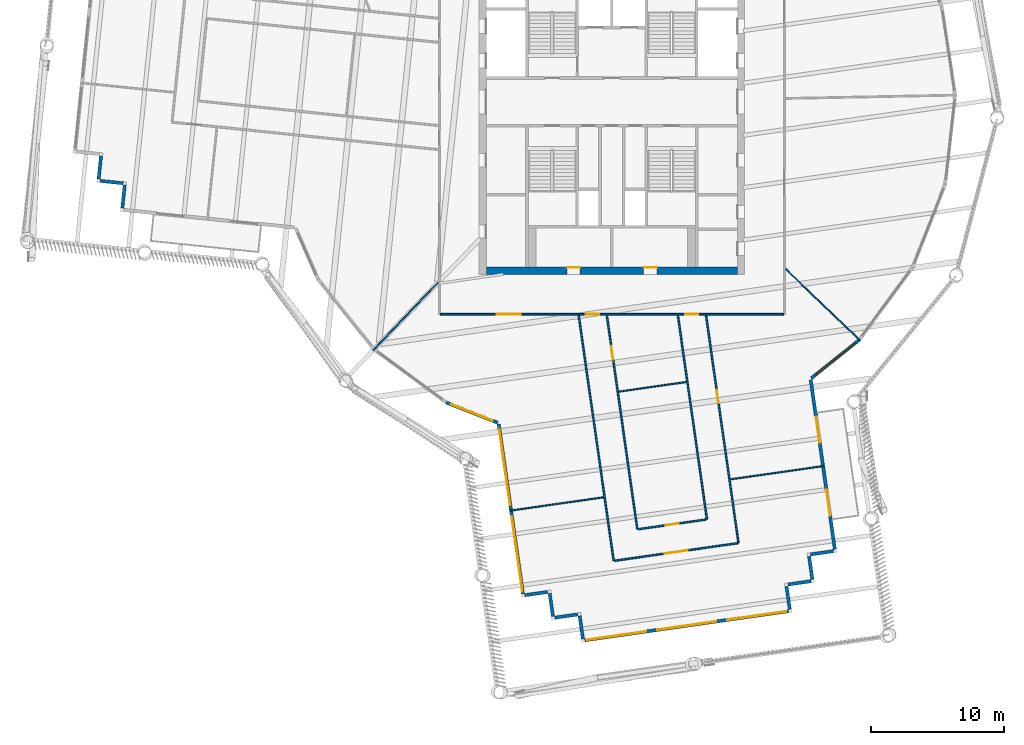
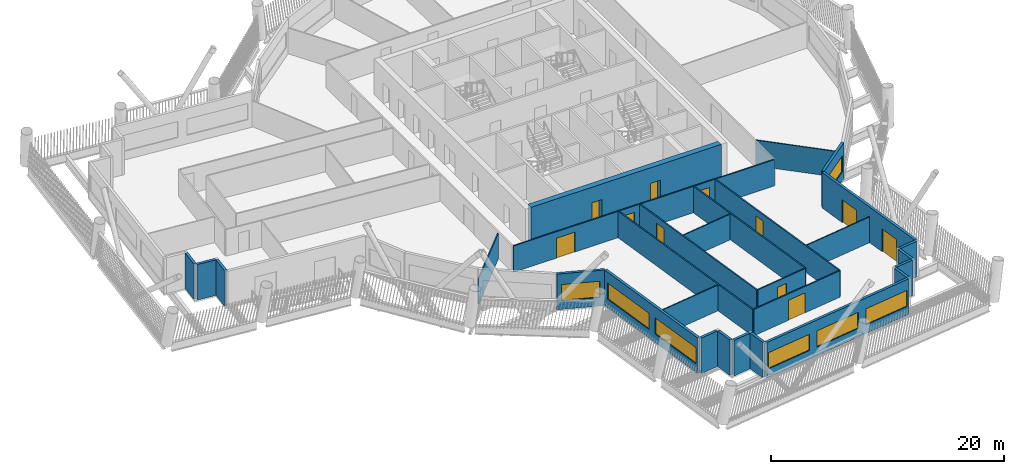
# One storey, part 3 of 22: 29 walls, 11 doors, 7 windows, 18 openings.
"""IFC4 building model written with IfcOpenShell, lengths in metres."""

from ifc_helpers import new_model, si_unit, direction, frame, frame_2d, origin, place, context, subcontext, project, spatial, rectangle, extrude, material, layer, layer_set, type_object, element, fill, save


model = new_model("IFC4")

# Units and contexts
model_context = context("Model", 3, precision=1e-05, world=origin(), true_north=direction((0.0, 1.0)))
body_context = subcontext(model_context, "Body", "Model", "MODEL_VIEW")
ifc_project = project(units=[si_unit("LENGTHUNIT", "METRE"), si_unit("AREAUNIT", "SQUARE_METRE"), si_unit("VOLUMEUNIT", "CUBIC_METRE"), si_unit("PLANEANGLEUNIT", "RADIAN"), si_unit("MASSUNIT", "GRAM", prefix="KILO")], contexts=[model_context])

# Site, building, storey
site_placement = place(None, origin())
site = spatial("IfcSite", under=ifc_project, at=site_placement, CompositionType="ELEMENT")
building_placement = place(site_placement, origin())
building = spatial("IfcBuilding", under=site, at=building_placement, Name="Tarsis Ring Headquarters", CompositionType="ELEMENT")
storey_placement = place(building_placement, frame((0.0, 0.0, 263.0)))
storey = spatial("IfcBuildingStorey", under=building, at=storey_placement, Name="L61", CompositionType="ELEMENT", Elevation=263.0)

# Wall, openings, doors
ifc_material_1 = material(Name="Concrete C50/60", Category="concrete")
ifc_layer_1 = layer(ifc_material_1, 0.550048828125)
ifc_layer_set_1 = layer_set([ifc_layer_1], Name="Core wall 550 C50/60")
wall_type_1 = type_object("IfcWallType", Name="Core wall 550 C50/60", PredefinedType="SHEAR", material=ifc_layer_set_1)
wall_1_placement = place(storey_placement, frame((-9.449951171875, -12.72509765625, 0.0), z_axis=(0.0, 0.0, 1.0), x_axis=(1.0, 0.0, 0.0)))
wall_1 = element("IfcWall", 1, at=wall_1_placement, inside=storey, type_object=wall_type_1, Name="Core wall OS", PredefinedType="SHEAR", context=body_context, shape_type="SweptSolid", body=[
    extrude(rectangle(XDim=18.89990234375, YDim=0.550048828125, at=frame_2d((9.449951171875, 0.0))), origin(), (0.0, 0.0, 1.0), 3.739990234375),
])
opening_1_placement = place(wall_1_placement, frame((6.050048828125, 0.0, 0.0)))
opening_1 = element("IfcOpeningElement", 2, at=opening_1_placement, cuts=wall_1, Name="Opening L61-C18", PredefinedType="OPENING", context=body_context, shape_type="SweptSolid", body=[
    extrude(rectangle(XDim=1.0, YDim=2.10009765625, at=frame_2d((0.5, 1.050048828125))), frame((0.0, 0.284912109375, 0.0), z_axis=(0.0, -1.0, 0.0), x_axis=(1.0, 0.0, 0.0)), (0.0, 0.0, 1.0), 0.570068359375),
])
opening_2_placement = place(wall_1_placement, frame((11.85009765625, 0.0, 0.0)))
opening_2 = element("IfcOpeningElement", 3, at=opening_2_placement, cuts=wall_1, Name="Opening L61-C19", PredefinedType="OPENING", context=body_context, shape_type="SweptSolid", body=[
    extrude(rectangle(XDim=1.0, YDim=2.10009765625, at=frame_2d((0.5, 1.050048828125))), frame((0.0, 0.284912109375, 0.0), z_axis=(0.0, -1.0, 0.0), x_axis=(1.0, 0.0, 0.0)), (0.0, 0.0, 1.0), 0.570068359375),
])
ifc_material_2 = material(Name="Steel S355", Category="steel")
door_type_1 = type_object("IfcDoorType", Name="Core room door 1000x2100", OperationType="SINGLE_SWING_LEFT", PredefinedType="DOOR", material=ifc_material_2)
door_1_placement = place(opening_1_placement, origin())
door_1 = element("IfcDoor", 4, at=door_1_placement, inside=storey, type_object=door_type_1, Name="Core room door L61", OperationType="SINGLE_SWING_LEFT", OverallHeight=2.10009765625, OverallWidth=1.0, PredefinedType="DOOR", context=body_context, shape_type="SweptSolid", body=[
    extrude(rectangle(XDim=1.0, YDim=2.10009765625, at=frame_2d((0.5, 1.050048828125))), frame((0.0, 0.27490234375, 0.0), z_axis=(0.0, -1.0, 0.0), x_axis=(1.0, 0.0, 0.0)), (0.0, 0.0, 1.0), 0.050048828125),
])
fill(opening_1, door_1)
door_2_placement = place(opening_2_placement, origin())
door_2 = element("IfcDoor", 5, at=door_2_placement, inside=storey, type_object=door_type_1, Name="Core room door L61", OperationType="SINGLE_SWING_LEFT", OverallHeight=2.10009765625, OverallWidth=1.0, PredefinedType="DOOR", context=body_context, shape_type="SweptSolid", body=[
    extrude(rectangle(XDim=1.0, YDim=2.10009765625, at=frame_2d((0.5, 1.050048828125))), frame((0.0, 0.27490234375, 0.0), z_axis=(0.0, -1.0, 0.0), x_axis=(1.0, 0.0, 0.0)), (0.0, 0.0, 1.0), 0.050048828125),
])
fill(opening_2, door_2)

# Walls
ifc_material_3 = material(Name="Gypsum board on steel studs", Category="steel")
ifc_layer_2 = layer(ifc_material_3, 0.10009765625)
ifc_layer_set_2 = layer_set([ifc_layer_2], Name="FL partition 100 unrated")
wall_type_2 = type_object("IfcWallType", Name="FL partition 100 unrated", PredefinedType="PARTITIONING", material=ifc_layer_set_2)
wall_2_placement = place(storey_placement, frame((13.08642578125, -12.584716796875, 0.0), z_axis=(0.0, 0.0, 1.0), x_axis=(0.72078911217, -0.693154424192, 0.0)))
element("IfcWall", 6, at=wall_2_placement, inside=storey, type_object=wall_type_2, Name="Partition PW3", PredefinedType="PARTITIONING", context=body_context, shape_type="SweptSolid", body=[
    extrude(rectangle(XDim=7.7919921875, YDim=0.10009765625, at=frame_2d((3.89599609375, 0.0))), origin(), (0.0, 0.0, 1.0), 2.699951171875),
])
for number, where, z_axis, x_axis, name in (
    (7, (8.92724609375, -28.444091796875, 0.0), (0.0, 0.0, 1.0), (0.989974132949, 0.141248773768, 0.0), "Partition PW3"),
    (8, (-7.676025390625, -30.802978515625, 0.0), (0.0, 0.0, 1.0), (0.989974132949, 0.141248773768, 0.0), "Partition PW3"),
):
    element("IfcWall", number, at=place(storey_placement, frame(where, z_axis=z_axis, x_axis=x_axis)), inside=storey, type_object=wall_type_2, Name=name, PredefinedType="PARTITIONING", context=body_context, shape_type="SweptSolid", body=[
        extrude(rectangle(XDim=7.1298828125, YDim=0.10009765625, at=frame_2d((3.56494140625, 0.0))), origin(), (0.0, 0.0, 1.0), 2.699951171875),
    ])
wall_3_placement = place(storey_placement, frame((-17.98583984375, -18.702880859375, 0.0), z_axis=(0.0, 0.0, 1.0), x_axis=(0.693162596652, 0.720781252949, 0.0)))
element("IfcWall", 9, at=wall_3_placement, inside=storey, type_object=wall_type_2, Name="Partition PW3", PredefinedType="PARTITIONING", context=body_context, shape_type="SweptSolid", body=[
    extrude(rectangle(XDim=7.06298828125, YDim=0.10009765625, at=frame_2d((3.531494140625, 0.0))), origin(), (0.0, 0.0, 1.0), 2.699951171875),
])
wall_4_placement = place(storey_placement, frame((0.509521484375, -21.8369140625, 0.0), z_axis=(0.0, 0.0, 1.0), x_axis=(0.989976916556, 0.141229262852, 0.0)))
element("IfcWall", 10, at=wall_4_placement, inside=storey, type_object=wall_type_2, Name="Partition PW3", PredefinedType="PARTITIONING", context=body_context, shape_type="SweptSolid", body=[
    extrude(rectangle(XDim=5.16015625, YDim=0.10009765625, at=frame_2d((2.580078125, 0.0))), origin(), (0.0, 0.0, 1.0), 2.699951171875),
])

# Wall, openings, doors
ifc_layer_3 = layer(ifc_material_3, 0.125)
ifc_layer_set_3 = layer_set([ifc_layer_3], Name="FL partition 125 EI 60 H2770")
wall_type_3 = type_object("IfcWallType", Name="FL partition 125 EI 60 H2770", PredefinedType="PARTITIONING", material=ifc_layer_set_3)
wall_5_placement = place(storey_placement, frame((-12.93994140625, -16.0, 0.0), z_axis=(0.0, 0.0, 1.0), x_axis=(1.0, 0.0, 0.0)))
wall_5 = element("IfcWall", 11, at=wall_5_placement, inside=storey, type_object=wall_type_3, Name="Partition PW1", PredefinedType="PARTITIONING", context=body_context, shape_type="SweptSolid", body=[
    extrude(rectangle(XDim=25.8798828125, YDim=0.125, at=frame_2d((12.93994140625, 0.0))), origin(), (0.0, 0.0, 1.0), 2.77001953125),
])
opening_3_placement = place(wall_5_placement, frame((4.282470703125, 0.0, 0.0)))
opening_3 = element("IfcOpeningElement", 12, at=opening_3_placement, cuts=wall_5, Name="Opening D61.11", PredefinedType="OPENING", context=body_context, shape_type="SweptSolid", body=[
    extrude(rectangle(XDim=1.800048828125, YDim=2.10009765625, at=frame_2d((0.89990234375, 1.050048828125))), frame((0.0, 0.072509765625, 0.0), z_axis=(0.0, -1.0, 0.0), x_axis=(1.0, 0.0, 0.0)), (0.0, 0.0, 1.0), 0.14501953125),
])
opening_4_placement = place(wall_5_placement, frame((10.9853515625, 0.0, 0.0)))
opening_4 = element("IfcOpeningElement", 13, at=opening_4_placement, cuts=wall_5, Name="Opening D61.16", PredefinedType="OPENING", context=body_context, shape_type="SweptSolid", body=[
    extrude(rectangle(XDim=1.0, YDim=2.10009765625, at=frame_2d((0.5, 1.050048828125))), frame((0.0, 0.072509765625, 0.0), z_axis=(0.0, -1.0, 0.0), x_axis=(1.0, 0.0, 0.0)), (0.0, 0.0, 1.0), 0.14501953125),
])
opening_5_placement = place(wall_5_placement, frame((18.460205078125, 0.0, 0.0)))
opening_5 = element("IfcOpeningElement", 14, at=opening_5_placement, cuts=wall_5, Name="Opening D61.17", PredefinedType="OPENING", context=body_context, shape_type="SweptSolid", body=[
    extrude(rectangle(XDim=1.0, YDim=2.10009765625, at=frame_2d((0.5, 1.050048828125))), frame((0.0, 0.072509765625, 0.0), z_axis=(0.0, -1.0, 0.0), x_axis=(1.0, 0.0, 0.0)), (0.0, 0.0, 1.0), 0.14501953125),
])
ifc_material_4 = material(Name="Fire-rated timber door leaf in steel frame", Category="steel")
door_type_2 = type_object("IfcDoorType", Name="FL door FD60-1000", OperationType="NOTDEFINED", PredefinedType="DOOR", material=ifc_material_4)
door_3_placement = place(opening_4_placement, origin())
door_3 = element("IfcDoor", 15, at=door_3_placement, inside=storey, type_object=door_type_2, Name="Door D61.16", OperationType="SINGLE_SWING_LEFT", OverallHeight=2.10009765625, OverallWidth=1.0, PredefinedType="DOOR", context=body_context, shape_type="SweptSolid", body=[
    extrude(rectangle(XDim=1.0, YDim=2.10009765625, at=frame_2d((0.5, 1.050048828125))), frame((0.0, 0.02490234375, 0.0), z_axis=(0.0, -1.0, 0.0), x_axis=(1.0, 0.0, 0.0)), (0.0, 0.0, 1.0), 0.050048828125),
])
fill(opening_4, door_3)
door_4_placement = place(opening_5_placement, origin())
door_4 = element("IfcDoor", 16, at=door_4_placement, inside=storey, type_object=door_type_2, Name="Door D61.17", OperationType="SINGLE_SWING_RIGHT", OverallHeight=2.10009765625, OverallWidth=1.0, PredefinedType="DOOR", context=body_context, shape_type="SweptSolid", body=[
    extrude(rectangle(XDim=1.0, YDim=2.10009765625, at=frame_2d((0.5, 1.050048828125))), frame((0.0, 0.02490234375, 0.0), z_axis=(0.0, -1.0, 0.0), x_axis=(1.0, 0.0, 0.0)), (0.0, 0.0, 1.0), 0.050048828125),
])
fill(opening_5, door_4)
door_type_3 = type_object("IfcDoorType", Name="FL door FD60-1800", OperationType="DOUBLE_DOOR_SINGLE_SWING", PredefinedType="DOOR", material=ifc_material_4)
door_5_placement = place(opening_3_placement, origin())
door_5 = element("IfcDoor", 17, at=door_5_placement, inside=storey, type_object=door_type_3, Name="Door D61.11", OperationType="DOUBLE_DOOR_SINGLE_SWING", OverallHeight=2.10009765625, OverallWidth=1.800048828125, PredefinedType="DOOR", context=body_context, shape_type="SweptSolid", body=[
    extrude(rectangle(XDim=1.800048828125, YDim=2.10009765625, at=frame_2d((0.89990234375, 1.050048828125))), frame((0.0, 0.02490234375, 0.0), z_axis=(0.0, -1.0, 0.0), x_axis=(1.0, 0.0, 0.0)), (0.0, 0.0, 1.0), 0.050048828125),
])
fill(opening_3, door_5)

# Wall
wall_6_placement = place(storey_placement, frame((-2.50537109375, -16.0693359375, 0.0), z_axis=(0.0, 0.0, 1.0), x_axis=(0.141245938621, -0.989974537462, 0.0)))
element("IfcWall", 18, at=wall_6_placement, inside=storey, type_object=wall_type_3, Name="Partition PW1", PredefinedType="PARTITIONING", context=body_context, shape_type="SweptSolid", body=[
    extrude(rectangle(XDim=18.70556640625, YDim=0.125, at=frame_2d((9.352783203125, 0.0))), origin(), (0.0, 0.0, 1.0), 2.77001953125),
])

# Wall, opening, door
wall_7_placement = place(storey_placement, frame((7.0908203125, -16.0693359375, 0.0), z_axis=(0.0, 0.0, 1.0), x_axis=(0.141247995302, -0.98997424402, 0.0)))
wall_7 = element("IfcWall", 19, at=wall_7_placement, inside=storey, type_object=wall_type_3, Name="Partition PW1", PredefinedType="PARTITIONING", context=body_context, shape_type="SweptSolid", body=[
    extrude(rectangle(XDim=17.35009765625, YDim=0.125, at=frame_2d((8.675048828125, 0.0))), origin(), (0.0, 0.0, 1.0), 2.77001953125),
])
opening_6_placement = place(wall_7_placement, frame((5.722412109375, 0.0, 0.0)))
opening_6 = element("IfcOpeningElement", 20, at=opening_6_placement, cuts=wall_7, Name="Opening D61.09", PredefinedType="OPENING", context=body_context, shape_type="SweptSolid", body=[
    extrude(rectangle(XDim=1.0, YDim=2.10009765625, at=frame_2d((0.5, 1.050048828125))), frame((0.0, 0.072509765625, 0.0), z_axis=(0.0, -1.0, 0.0), x_axis=(1.0, 0.0, 0.0)), (0.0, 0.0, 1.0), 0.14501953125),
])
door_6_placement = place(opening_6_placement, origin())
door_6 = element("IfcDoor", 21, at=door_6_placement, inside=storey, type_object=door_type_2, Name="Door D61.09", OperationType="SINGLE_SWING_RIGHT", OverallHeight=2.10009765625, OverallWidth=1.0, PredefinedType="DOOR", context=body_context, shape_type="SweptSolid", body=[
    extrude(rectangle(XDim=1.0, YDim=2.10009765625, at=frame_2d((0.5, 1.050048828125))), frame((0.0, 0.02490234375, 0.0), z_axis=(0.0, -1.0, 0.0), x_axis=(1.0, 0.0, 0.0)), (0.0, 0.0, 1.0), 0.050048828125),
])
fill(opening_6, door_6)

wall_8_placement = place(storey_placement, frame((-0.384033203125, -16.0693359375, 0.0), z_axis=(0.0, 0.0, 1.0), x_axis=(0.141249471137, -0.989974033449, 0.0)))
wall_8 = element("IfcWall", 22, at=wall_8_placement, inside=storey, type_object=wall_type_3, Name="Partition PW1", PredefinedType="PARTITIONING", context=body_context, shape_type="SweptSolid", body=[
    extrude(rectangle(XDim=16.30615234375, YDim=0.125, at=frame_2d((8.153076171875, 0.0))), origin(), (0.0, 0.0, 1.0), 2.77001953125),
])
opening_7_placement = place(wall_8_placement, frame((2.38427734375, 0.0, 0.0)))
opening_7 = element("IfcOpeningElement", 23, at=opening_7_placement, cuts=wall_8, Name="Opening D61.14", PredefinedType="OPENING", context=body_context, shape_type="SweptSolid", body=[
    extrude(rectangle(XDim=1.0, YDim=2.10009765625, at=frame_2d((0.5, 1.050048828125))), frame((0.0, 0.072509765625, 0.0), z_axis=(0.0, -1.0, 0.0), x_axis=(1.0, 0.0, 0.0)), (0.0, 0.0, 1.0), 0.14501953125),
])
door_7_placement = place(opening_7_placement, origin())
door_7 = element("IfcDoor", 24, at=door_7_placement, inside=storey, type_object=door_type_2, Name="Door D61.14", OperationType="SINGLE_SWING_LEFT", OverallHeight=2.10009765625, OverallWidth=1.0, PredefinedType="DOOR", context=body_context, shape_type="SweptSolid", body=[
    extrude(rectangle(XDim=1.0, YDim=2.10009765625, at=frame_2d((0.5, 1.050048828125))), frame((0.0, 0.02490234375, 0.0), z_axis=(0.0, -1.0, 0.0), x_axis=(1.0, 0.0, 0.0)), (0.0, 0.0, 1.0), 0.050048828125),
])
fill(opening_7, door_7)

# Wall
wall_9_placement = place(storey_placement, frame((4.969482421875, -16.0693359375, 0.0), z_axis=(0.0, 0.0, 1.0), x_axis=(0.141256500075, -0.989973030535, 0.0)))
element("IfcWall", 25, at=wall_9_placement, inside=storey, type_object=wall_type_3, Name="Partition PW1", PredefinedType="PARTITIONING", context=body_context, shape_type="SweptSolid", body=[
    extrude(rectangle(XDim=15.550048828125, YDim=0.125, at=frame_2d((7.77490234375, 0.0))), origin(), (0.0, 0.0, 1.0), 2.77001953125),
])

# Wall, opening, door
wall_10_placement = place(storey_placement, frame((0.196044921875, -34.5791015625, 0.0), z_axis=(0.0, 0.0, 1.0), x_axis=(0.989973944499, 0.141250094563, 0.0)))
wall_10 = element("IfcWall", 26, at=wall_10_placement, inside=storey, type_object=wall_type_3, Name="Partition PW1", PredefinedType="PARTITIONING", context=body_context, shape_type="SweptSolid", body=[
    extrude(rectangle(XDim=9.380126953125, YDim=0.125, at=frame_2d((4.68994140625, 0.0))), origin(), (0.0, 0.0, 1.0), 2.77001953125),
])
opening_8_placement = place(wall_10_placement, frame((3.7900390625, 0.0, 0.0)))
opening_8 = element("IfcOpeningElement", 27, at=opening_8_placement, cuts=wall_10, Name="Opening D61.10", PredefinedType="OPENING", context=body_context, shape_type="SweptSolid", body=[
    extrude(rectangle(XDim=1.800048828125, YDim=2.10009765625, at=frame_2d((0.89990234375, 1.050048828125))), frame((0.0, 0.072509765625, 0.0), z_axis=(0.0, -1.0, 0.0), x_axis=(1.0, 0.0, 0.0)), (0.0, 0.0, 1.0), 0.14501953125),
])
door_8_placement = place(opening_8_placement, origin())
door_8 = element("IfcDoor", 28, at=door_8_placement, inside=storey, type_object=door_type_3, Name="Door D61.10", OperationType="DOUBLE_DOOR_SINGLE_SWING", OverallHeight=2.10009765625, OverallWidth=1.800048828125, PredefinedType="DOOR", context=body_context, shape_type="SweptSolid", body=[
    extrude(rectangle(XDim=1.800048828125, YDim=2.10009765625, at=frame_2d((0.89990234375, 1.050048828125))), frame((0.0, 0.02490234375, 0.0), z_axis=(0.0, -1.0, 0.0), x_axis=(1.0, 0.0, 0.0)), (0.0, 0.0, 1.0), 0.050048828125),
])
fill(opening_8, door_8)

wall_11_placement = place(storey_placement, frame((1.978515625, -32.203369140625, 0.0), z_axis=(0.0, 0.0, 1.0), x_axis=(0.989973046214, 0.141256390188, 0.0)))
wall_11 = element("IfcWall", 29, at=wall_11_placement, inside=storey, type_object=wall_type_3, Name="Partition PW1", PredefinedType="PARTITIONING", context=body_context, shape_type="SweptSolid", body=[
    extrude(rectangle(XDim=5.179931640625, YDim=0.125, at=frame_2d((2.58984375, 0.0))), origin(), (0.0, 0.0, 1.0), 2.77001953125),
])
opening_9_placement = place(wall_11_placement, frame((2.090087890625, 0.0, 0.0)))
opening_9 = element("IfcOpeningElement", 30, at=opening_9_placement, cuts=wall_11, Name="Opening D61.15", PredefinedType="OPENING", context=body_context, shape_type="SweptSolid", body=[
    extrude(rectangle(XDim=1.0, YDim=2.10009765625, at=frame_2d((0.5, 1.050048828125))), frame((0.0, 0.072509765625, 0.0), z_axis=(0.0, -1.0, 0.0), x_axis=(1.0, 0.0, 0.0)), (0.0, 0.0, 1.0), 0.14501953125),
])
door_9_placement = place(opening_9_placement, origin())
door_9 = element("IfcDoor", 31, at=door_9_placement, inside=storey, type_object=door_type_2, Name="Door D61.15", OperationType="SINGLE_SWING_RIGHT", OverallHeight=2.10009765625, OverallWidth=1.0, PredefinedType="DOOR", context=body_context, shape_type="SweptSolid", body=[
    extrude(rectangle(XDim=1.0, YDim=2.10009765625, at=frame_2d((0.5, 1.050048828125))), frame((0.0, 0.02490234375, 0.0), z_axis=(0.0, -1.0, 0.0), x_axis=(1.0, 0.0, 0.0)), (0.0, 0.0, 1.0), 0.050048828125),
])
fill(opening_9, door_9)

# Wall, opening, window
ifc_material_5 = material(Name="Terracotta clad insulated panel wall", Category="masonry")
ifc_layer_4 = layer(ifc_material_5, 0.25)
ifc_layer_set_4 = layer_set([ifc_layer_4], Name="Facade wall terracotta panel 250")
wall_type_4 = type_object("IfcWallType", Name="Facade wall terracotta panel 250", PredefinedType="STANDARD", material=ifc_layer_set_4)
wall_12_placement = place(storey_placement, frame((-12.481201171875, -22.662109375, 0.0), z_axis=(0.0, 0.0, 1.0), x_axis=(0.931189054807, -0.36453661573, 0.0)))
wall_12 = element("IfcWall", 32, at=wall_12_placement, inside=storey, type_object=wall_type_4, Name="External wall L61-05", PredefinedType="STANDARD", context=body_context, shape_type="SweptSolid", body=[
    extrude(rectangle(XDim=4.15771484375, YDim=0.25, at=frame_2d((2.078857421875, 0.0))), origin(), (0.0, 0.0, 1.0), 3.739990234375),
])
opening_10_placement = place(wall_12_placement, frame((0.38720703125, 0.0, 0.89990234375)))
opening_10 = element("IfcOpeningElement", 33, at=opening_10_placement, cuts=wall_12, Name="Opening WN01", PredefinedType="OPENING", context=body_context, shape_type="SweptSolid", body=[
    extrude(rectangle(XDim=3.35009765625, YDim=1.699951171875, at=frame_2d((1.675048828125, 0.85009765625))), frame((0.0, 0.135009765625, 0.0), z_axis=(0.0, -1.0, 0.0), x_axis=(1.0, 0.0, 0.0)), (0.0, 0.0, 1.0), 0.27001953125),
])
ifc_material_6 = material(Name="Aluminium framed double glazing", Category="aluminium")
window_type_1 = type_object("IfcWindowType", Name="Facade window 3350 x 1700", PartitioningType="SINGLE_PANEL", PredefinedType="WINDOW", material=ifc_material_6)
window_1_placement = place(opening_10_placement, origin())
window_1 = element("IfcWindow", 34, at=window_1_placement, inside=storey, type_object=window_type_1, Name="Window L61-05.1", OverallHeight=1.699951171875, OverallWidth=3.35009765625, PartitioningType="SINGLE_PANEL", PredefinedType="WINDOW", context=body_context, shape_type="SweptSolid", body=[
    extrude(rectangle(XDim=3.35009765625, YDim=1.699951171875, at=frame_2d((1.675048828125, 0.85009765625))), frame((0.0, 0.030029296875, 0.0), z_axis=(0.0, -1.0, 0.0), x_axis=(1.0, 0.0, 0.0)), (0.0, 0.0, 1.0), 0.06005859375),
])
fill(opening_10, window_1)

# Wall, openings, windows
wall_13_placement = place(storey_placement, frame((-8.531494140625, -24.2763671875, 0.0), z_axis=(0.0, 0.0, 1.0), x_axis=(0.141246779367, -0.989974417507, 0.0)))
wall_13 = element("IfcWall", 35, at=wall_13_placement, inside=storey, type_object=wall_type_4, Name="External wall L61-06", PredefinedType="STANDARD", context=body_context, shape_type="SweptSolid", body=[
    extrude(rectangle(XDim=12.922119140625, YDim=0.25, at=frame_2d((6.4609375, 0.0))), origin(), (0.0, 0.0, 1.0), 3.739990234375),
])
opening_11_placement = place(wall_13_placement, frame((0.41796875, 0.0, 0.89990234375)))
opening_11 = element("IfcOpeningElement", 36, at=opening_11_placement, cuts=wall_13, Name="Opening WN06", PredefinedType="OPENING", context=body_context, shape_type="SweptSolid", body=[
    extrude(rectangle(XDim=5.75, YDim=1.699951171875, at=frame_2d((2.875, 0.85009765625))), frame((0.0, 0.135009765625, 0.0), z_axis=(0.0, -1.0, 0.0), x_axis=(1.0, 0.0, 0.0)), (0.0, 0.0, 1.0), 0.27001953125),
])
opening_12_placement = place(wall_13_placement, frame((7.00390625, 0.0, 0.89990234375)))
opening_12 = element("IfcOpeningElement", 37, at=opening_12_placement, cuts=wall_13, Name="Opening WN06", PredefinedType="OPENING", context=body_context, shape_type="SweptSolid", body=[
    extrude(rectangle(XDim=5.75, YDim=1.699951171875, at=frame_2d((2.875, 0.85009765625))), frame((0.0, 0.135009765625, 0.0), z_axis=(0.0, -1.0, 0.0), x_axis=(1.0, 0.0, 0.0)), (0.0, 0.0, 1.0), 0.27001953125),
])
window_type_2 = type_object("IfcWindowType", Name="Facade window 5750 x 1700", PartitioningType="SINGLE_PANEL", PredefinedType="WINDOW", material=ifc_material_6)
window_2_placement = place(opening_11_placement, origin())
window_2 = element("IfcWindow", 38, at=window_2_placement, inside=storey, type_object=window_type_2, Name="Window L61-06.1", OverallHeight=1.699951171875, OverallWidth=5.75, PartitioningType="SINGLE_PANEL", PredefinedType="WINDOW", context=body_context, shape_type="SweptSolid", body=[
    extrude(rectangle(XDim=5.75, YDim=1.699951171875, at=frame_2d((2.875, 0.85009765625))), frame((0.0, 0.030029296875, 0.0), z_axis=(0.0, -1.0, 0.0), x_axis=(1.0, 0.0, 0.0)), (0.0, 0.0, 1.0), 0.06005859375),
])
fill(opening_11, window_2)
window_3_placement = place(opening_12_placement, origin())
window_3 = element("IfcWindow", 39, at=window_3_placement, inside=storey, type_object=window_type_2, Name="Window L61-06.2", OverallHeight=1.699951171875, OverallWidth=5.75, PartitioningType="SINGLE_PANEL", PredefinedType="WINDOW", context=body_context, shape_type="SweptSolid", body=[
    extrude(rectangle(XDim=5.75, YDim=1.699951171875, at=frame_2d((2.875, 0.85009765625))), frame((0.0, 0.030029296875, 0.0), z_axis=(0.0, -1.0, 0.0), x_axis=(1.0, 0.0, 0.0)), (0.0, 0.0, 1.0), 0.06005859375),
])
fill(opening_12, window_3)

# Walls
for number, where, z_axis, x_axis, name in (
    (40, (-6.56494140625, -37.175048828125, 0.0), (0.0, 0.0, 1.0), (0.989963439851, 0.141323698502, 0.0), "External wall L61-07"),
    (41, (-4.691162109375, -37.033935546875, 0.0), (0.0, 0.0, 1.0), (0.141323698502, -0.989963439851, 0.0), "External wall L61-08"),
    (42, (-4.302490234375, -38.87255859375, 0.0), (0.0, 0.0, 1.0), (0.989963439851, 0.141323698502, 0.0), "External wall L61-09"),
    (43, (-2.4287109375, -38.7314453125, 0.0), (0.0, 0.0, 1.0), (0.141323698502, -0.989963439851, 0.0), "External wall L61-10"),
):
    element("IfcWall", number, at=place(storey_placement, frame(where, z_axis=z_axis, x_axis=x_axis)), inside=storey, type_object=wall_type_4, Name=name, PredefinedType="STANDARD", context=body_context, shape_type="SweptSolid", body=[
        extrude(rectangle(XDim=1.75, YDim=0.25, at=frame_2d((0.875, 0.0))), origin(), (0.0, 0.0, 1.0), 3.739990234375),
    ])

# Wall, openings, windows
wall_14_placement = place(storey_placement, frame((-2.0400390625, -40.56982421875, 0.0), z_axis=(0.0, 0.0, 1.0), x_axis=(0.989975309027, 0.141240530716, 0.0)))
wall_14 = element("IfcWall", 44, at=wall_14_placement, inside=storey, type_object=wall_type_4, Name="External wall L61-11", PredefinedType="STANDARD", context=body_context, shape_type="SweptSolid", body=[
    extrude(rectangle(XDim=15.499755859375, YDim=0.25, at=frame_2d((7.75, 0.0))), origin(), (0.0, 0.0, 1.0), 3.739990234375),
])
opening_13_placement = place(wall_14_placement, frame((0.166748046875, 0.0, 0.89990234375)))
opening_13 = element("IfcOpeningElement", 45, at=opening_13_placement, cuts=wall_14, Name="Opening WN04", PredefinedType="OPENING", context=body_context, shape_type="SweptSolid", body=[
    extrude(rectangle(XDim=4.5, YDim=1.699951171875, at=frame_2d((2.25, 0.85009765625))), frame((0.0, 0.135009765625, 0.0), z_axis=(0.0, -1.0, 0.0), x_axis=(1.0, 0.0, 0.0)), (0.0, 0.0, 1.0), 0.27001953125),
])
opening_14_placement = place(wall_14_placement, frame((5.5, 0.0, 0.89990234375)))
opening_14 = element("IfcOpeningElement", 46, at=opening_14_placement, cuts=wall_14, Name="Opening WN04", PredefinedType="OPENING", context=body_context, shape_type="SweptSolid", body=[
    extrude(rectangle(XDim=4.5, YDim=1.699951171875, at=frame_2d((2.25, 0.85009765625))), frame((0.0, 0.135009765625, 0.0), z_axis=(0.0, -1.0, 0.0), x_axis=(1.0, 0.0, 0.0)), (0.0, 0.0, 1.0), 0.27001953125),
])
opening_15_placement = place(wall_14_placement, frame((10.833251953125, 0.0, 0.89990234375)))
opening_15 = element("IfcOpeningElement", 47, at=opening_15_placement, cuts=wall_14, Name="Opening WN04", PredefinedType="OPENING", context=body_context, shape_type="SweptSolid", body=[
    extrude(rectangle(XDim=4.5, YDim=1.699951171875, at=frame_2d((2.25, 0.85009765625))), frame((0.0, 0.135009765625, 0.0), z_axis=(0.0, -1.0, 0.0), x_axis=(1.0, 0.0, 0.0)), (0.0, 0.0, 1.0), 0.27001953125),
])
window_type_3 = type_object("IfcWindowType", Name="Facade window 4500 x 1700", PartitioningType="SINGLE_PANEL", PredefinedType="WINDOW", material=ifc_material_6)
window_4_placement = place(opening_13_placement, origin())
window_4 = element("IfcWindow", 48, at=window_4_placement, inside=storey, type_object=window_type_3, Name="Window L61-11.1", OverallHeight=1.699951171875, OverallWidth=4.5, PartitioningType="SINGLE_PANEL", PredefinedType="WINDOW", context=body_context, shape_type="SweptSolid", body=[
    extrude(rectangle(XDim=4.5, YDim=1.699951171875, at=frame_2d((2.25, 0.85009765625))), frame((0.0, 0.030029296875, 0.0), z_axis=(0.0, -1.0, 0.0), x_axis=(1.0, 0.0, 0.0)), (0.0, 0.0, 1.0), 0.06005859375),
])
fill(opening_13, window_4)
window_5_placement = place(opening_14_placement, origin())
window_5 = element("IfcWindow", 49, at=window_5_placement, inside=storey, type_object=window_type_3, Name="Window L61-11.2", OverallHeight=1.699951171875, OverallWidth=4.5, PartitioningType="SINGLE_PANEL", PredefinedType="WINDOW", context=body_context, shape_type="SweptSolid", body=[
    extrude(rectangle(XDim=4.5, YDim=1.699951171875, at=frame_2d((2.25, 0.85009765625))), frame((0.0, 0.030029296875, 0.0), z_axis=(0.0, -1.0, 0.0), x_axis=(1.0, 0.0, 0.0)), (0.0, 0.0, 1.0), 0.06005859375),
])
fill(opening_14, window_5)
window_6_placement = place(opening_15_placement, origin())
window_6 = element("IfcWindow", 50, at=window_6_placement, inside=storey, type_object=window_type_3, Name="Window L61-11.3", OverallHeight=1.699951171875, OverallWidth=4.5, PartitioningType="SINGLE_PANEL", PredefinedType="WINDOW", context=body_context, shape_type="SweptSolid", body=[
    extrude(rectangle(XDim=4.5, YDim=1.699951171875, at=frame_2d((2.25, 0.85009765625))), frame((0.0, 0.030029296875, 0.0), z_axis=(0.0, -1.0, 0.0), x_axis=(1.0, 0.0, 0.0)), (0.0, 0.0, 1.0), 0.06005859375),
])
fill(opening_15, window_6)

# Walls
wall_15_placement = place(storey_placement, frame((13.41064453125, -38.2392578125, 0.0), z_axis=(0.0, 0.0, 1.0), x_axis=(-0.141304182973, 0.989966225623, 0.0)))
element("IfcWall", 51, at=wall_15_placement, inside=storey, type_object=wall_type_4, Name="External wall L61-12", PredefinedType="STANDARD", context=body_context, shape_type="SweptSolid", body=[
    extrude(rectangle(XDim=1.750244140625, YDim=0.25, at=frame_2d((0.875, 0.0))), origin(), (0.0, 0.0, 1.0), 3.739990234375),
])
for number, where, z_axis, x_axis, name in (
    (52, (13.26953125, -36.365234375, 0.0), (0.0, 0.0, 1.0), (0.989982948991, 0.141186970741, 0.0), "External wall L61-13"),
    (53, (15.108154296875, -35.976806640625, 0.0), (0.0, 0.0, 1.0), (-0.141323698502, 0.989963439851, 0.0), "External wall L61-14"),
    (54, (14.967041015625, -34.102783203125, 0.0), (0.0, 0.0, 1.0), (0.989982948991, 0.141186970741, 0.0), "External wall L61-15"),
):
    element("IfcWall", number, at=place(storey_placement, frame(where, z_axis=z_axis, x_axis=x_axis)), inside=storey, type_object=wall_type_4, Name=name, PredefinedType="STANDARD", context=body_context, shape_type="SweptSolid", body=[
        extrude(rectangle(XDim=1.75, YDim=0.25, at=frame_2d((0.875, 0.0))), origin(), (0.0, 0.0, 1.0), 3.739990234375),
    ])

# Wall, openings, doors
wall_16_placement = place(storey_placement, frame((16.805419921875, -33.71435546875, 0.0), z_axis=(0.0, 0.0, 1.0), x_axis=(-0.14124649904, 0.989974457503, 0.0)))
wall_16 = element("IfcWall", 55, at=wall_16_placement, inside=storey, type_object=wall_type_4, Name="External wall L61-16", PredefinedType="STANDARD", context=body_context, shape_type="SweptSolid", body=[
    extrude(rectangle(XDim=12.9013671875, YDim=0.25, at=frame_2d((6.45068359375, 0.0))), origin(), (0.0, 0.0, 1.0), 3.739990234375),
])
opening_16_placement = place(wall_16_placement, frame((2.550048828125, 0.0, 0.0)))
opening_16 = element("IfcOpeningElement", 56, at=opening_16_placement, cuts=wall_16, Name="Opening L61-BD03", PredefinedType="OPENING", context=body_context, shape_type="SweptSolid", body=[
    extrude(rectangle(XDim=2.0, YDim=2.39990234375, at=frame_2d((1.0, 1.199951171875))), frame((0.0, 0.135009765625, 0.0), z_axis=(0.0, -1.0, 0.0), x_axis=(1.0, 0.0, 0.0)), (0.0, 0.0, 1.0), 0.27001953125),
])
opening_17_placement = place(wall_16_placement, frame((8.101318359375, 0.0, 0.0)))
opening_17 = element("IfcOpeningElement", 57, at=opening_17_placement, cuts=wall_16, Name="Opening L61-BD04", PredefinedType="OPENING", context=body_context, shape_type="SweptSolid", body=[
    extrude(rectangle(XDim=2.0, YDim=2.39990234375, at=frame_2d((1.0, 1.199951171875))), frame((0.0, 0.135009765625, 0.0), z_axis=(0.0, -1.0, 0.0), x_axis=(1.0, 0.0, 0.0)), (0.0, 0.0, 1.0), 0.27001953125),
])
door_type_4 = type_object("IfcDoorType", Name="Balcony sliding door 2000 x 2400", OperationType="SLIDING_TO_LEFT", PredefinedType="DOOR", material=ifc_material_6)
door_10_placement = place(opening_16_placement, origin())
door_10 = element("IfcDoor", 58, at=door_10_placement, inside=storey, type_object=door_type_4, Name="Door L61-BD03", OperationType="SINGLE_SWING_LEFT", OverallHeight=2.39990234375, OverallWidth=2.0, PredefinedType="DOOR", context=body_context, shape_type="SweptSolid", body=[
    extrude(rectangle(XDim=2.0, YDim=2.39990234375, at=frame_2d((1.0, 1.199951171875))), frame((0.0, 0.02490234375, 0.0), z_axis=(0.0, -1.0, 0.0), x_axis=(1.0, 0.0, 0.0)), (0.0, 0.0, 1.0), 0.050048828125),
])
fill(opening_16, door_10)
door_11_placement = place(opening_17_placement, origin())
door_11 = element("IfcDoor", 59, at=door_11_placement, inside=storey, type_object=door_type_4, Name="Door L61-BD04", OperationType="SINGLE_SWING_LEFT", OverallHeight=2.39990234375, OverallWidth=2.0, PredefinedType="DOOR", context=body_context, shape_type="SweptSolid", body=[
    extrude(rectangle(XDim=2.0, YDim=2.39990234375, at=frame_2d((1.0, 1.199951171875))), frame((0.0, 0.02490234375, 0.0), z_axis=(0.0, -1.0, 0.0), x_axis=(1.0, 0.0, 0.0)), (0.0, 0.0, 1.0), 0.050048828125),
])
fill(opening_17, door_11)

# Wall, opening, window
wall_17_placement = place(storey_placement, frame((15.029052734375, -20.826904296875, 0.0), z_axis=(0.0, 0.0, 1.0), x_axis=(0.781317360795, 0.624133945336, 0.0)))
wall_17 = element("IfcWall", 60, at=wall_17_placement, inside=storey, type_object=wall_type_4, Name="External wall L61-17", PredefinedType="STANDARD", context=body_context, shape_type="SweptSolid", body=[
    extrude(rectangle(XDim=4.61767578125, YDim=0.25, at=frame_2d((2.308837890625, 0.0))), origin(), (0.0, 0.0, 1.0), 3.739990234375),
])
opening_18_placement = place(wall_17_placement, frame((0.400390625, 0.0, 0.89990234375)))
opening_18 = element("IfcOpeningElement", 61, at=opening_18_placement, cuts=wall_17, Name="Opening WN02", PredefinedType="OPENING", context=body_context, shape_type="SweptSolid", body=[
    extrude(rectangle(XDim=3.85009765625, YDim=1.699951171875, at=frame_2d((1.925048828125, 0.85009765625))), frame((0.0, 0.135009765625, 0.0), z_axis=(0.0, -1.0, 0.0), x_axis=(1.0, 0.0, 0.0)), (0.0, 0.0, 1.0), 0.27001953125),
])
window_type_4 = type_object("IfcWindowType", Name="Facade window 3850 x 1700", PartitioningType="SINGLE_PANEL", PredefinedType="WINDOW", material=ifc_material_6)
window_7_placement = place(opening_18_placement, origin())
window_7 = element("IfcWindow", 62, at=window_7_placement, inside=storey, type_object=window_type_4, Name="Window L61-17.1", OverallHeight=1.699951171875, OverallWidth=3.85009765625, PartitioningType="SINGLE_PANEL", PredefinedType="WINDOW", context=body_context, shape_type="SweptSolid", body=[
    extrude(rectangle(XDim=3.85009765625, YDim=1.699951171875, at=frame_2d((1.925048828125, 0.85009765625))), frame((0.0, 0.030029296875, 0.0), z_axis=(0.0, -1.0, 0.0), x_axis=(1.0, 0.0, 0.0)), (0.0, 0.0, 1.0), 0.06005859375),
])
fill(opening_18, window_7)

# Walls
for number, where, z_axis, x_axis, name in (
    (63, (-38.495361328125, -4.077880859375, 0.0), (0.0, 0.0, 1.0), (-0.102404105832, -0.994742880904, 0.0), "External wall L61-38"),
    (64, (-38.56298828125, -5.955810546875, 0.0), (0.0, 0.0, 1.0), (0.994742880904, -0.102404105832, 0.0), "External wall L61-39"),
    (65, (-36.710693359375, -6.272216796875, 0.0), (0.0, 0.0, 1.0), (-0.102404105832, -0.994742880904, 0.0), "External wall L61-40"),
):
    element("IfcWall", number, at=place(storey_placement, frame(where, z_axis=z_axis, x_axis=x_axis)), inside=storey, type_object=wall_type_4, Name=name, PredefinedType="STANDARD", context=body_context, shape_type="SweptSolid", body=[
        extrude(rectangle(XDim=1.75, YDim=0.25, at=frame_2d((0.875, 0.0))), origin(), (0.0, 0.0, 1.0), 3.739990234375),
    ])

save(model, "model.ifc")
